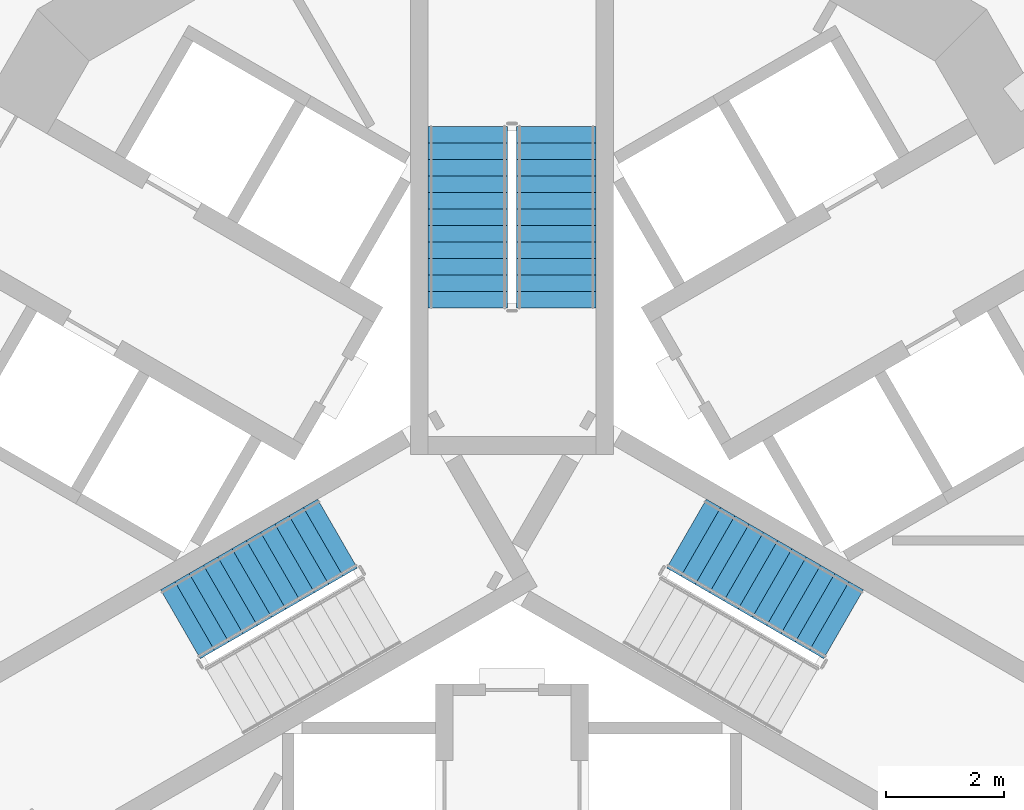
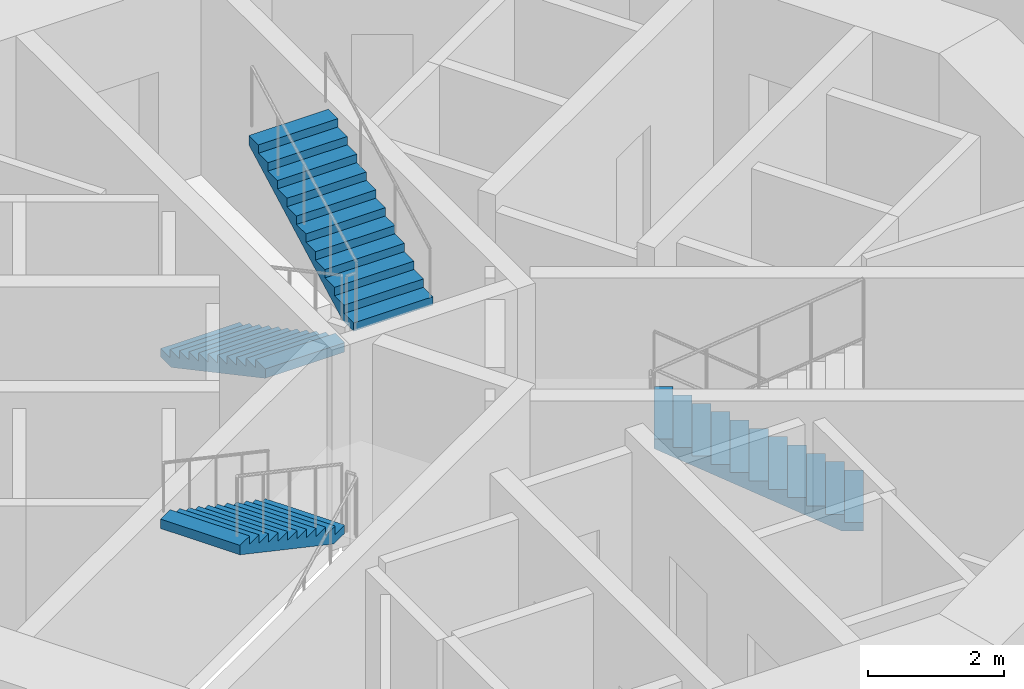
# One storey, part 11 of 19: 4 stair flights, 3 elements without a shape of their own.
"""IFC4 building model written with IfcOpenShell, lengths in metres."""

from ifc_helpers import new_model, si_unit, direction, frame, origin, place, context, subcontext, project, spatial, polyline, outline, extrude, material, type_object, element, aggregate, save


model = new_model("IFC4")

# Units and contexts
model_context = context("Model", 3, precision=1e-05, world=origin(), true_north=direction((0.0, 1.0)))
body_context = subcontext(model_context, "Body", "Model", "MODEL_VIEW")
ifc_project = project(units=[si_unit("LENGTHUNIT", "METRE"), si_unit("AREAUNIT", "SQUARE_METRE"), si_unit("VOLUMEUNIT", "CUBIC_METRE"), si_unit("PLANEANGLEUNIT", "RADIAN"), si_unit("MASSUNIT", "GRAM", prefix="KILO")], contexts=[model_context])

# Site, building, storey
site_placement = place(None, origin())
site = spatial("IfcSite", under=ifc_project, at=site_placement, CompositionType="ELEMENT")
building_placement = place(site_placement, origin())
building = spatial("IfcBuilding", under=site, at=building_placement, Name="Trine Commons Tower", CompositionType="ELEMENT")
storey_placement = place(building_placement, frame((0.0, 0.0, 68.39990234375)))
storey = spatial("IfcBuildingStorey", under=building, at=storey_placement, Name="L16", CompositionType="ELEMENT", Elevation=68.39990234375)

# Stair, stair flights
ifc_material = material(Name="Concrete C50/60", Category="concrete")
stair_type = type_object("IfcStairType", Name="Exit stair, dog-leg, 24 risers of 150 mm", PredefinedType="HALF_TURN_STAIR", material=ifc_material)
stair_1_placement = place(storey_placement, origin())
stair_1 = element("IfcStair", 1, at=stair_1_placement, inside=storey, type_object=stair_type, Name="L16 Exit stair ST1A", PredefinedType="HALF_TURN_STAIR")
stair_flight_type = type_object("IfcStairFlightType", Name="Stair flight, 1350 wide, 12 risers of 150 mm", PredefinedType="STRAIGHT", material=ifc_material)
stair_flight_1_placement = place(storey_placement, frame((79.25, 68.570556640625, 0.0), z_axis=(0.0, 0.0, 1.0), x_axis=(0.0, -1.0, 0.0)))
stair_flight_1 = element("IfcStairFlight", 2, at=stair_flight_1_placement, type_object=stair_flight_type, Name="ST1A flight 1", NumberOfRisers=12, NumberOfTreads=11, PredefinedType="STRAIGHT", RiserHeight=0.15, TreadLength=0.28, context=body_context, shape_type="SweptSolid", body=[
    extrude(outline(polyline([(0.0, 0.0), (0.0, 0.14990234375), (0.280029296875, 0.14990234375), (0.280029296875, 0.300048828125), (0.56005859375, 0.300048828125), (0.56005859375, 0.449951171875), (0.840087890625, 0.449951171875), (0.840087890625, 0.60009765625), (1.1201171875, 0.60009765625), (1.1201171875, 0.75), (1.39990234375, 0.75), (1.39990234375, 0.89990234375), (1.679931640625, 0.89990234375), (1.679931640625, 1.050048828125), (1.9599609375, 1.050048828125), (1.9599609375, 1.199951171875), (2.239990234375, 1.199951171875), (2.239990234375, 1.35009765625), (2.52001953125, 1.35009765625), (2.52001953125, 1.5), (2.800048828125, 1.5), (2.800048828125, 1.64990234375), (3.080078125, 1.64990234375), (3.080078125, 1.800048828125), (3.080078125, 1.47998046875), (0.3173828125, 0.0), (0.0, 0.0)])), frame((0.0, 0.675048828125, 0.0), z_axis=(0.0, -1.0, 0.0), x_axis=(1.0, 0.0, 0.0)), (0.0, 0.0, 1.0), 1.35009765625),
])
stair_flight_2_placement = place(storey_placement, frame((80.75, 65.490478515625, 1.800048828125), z_axis=(0.0, 0.0, 1.0), x_axis=(0.0, 1.0, 0.0)))
stair_flight_2 = element("IfcStairFlight", 3, at=stair_flight_2_placement, type_object=stair_flight_type, Name="ST1A flight 2", NumberOfRisers=12, NumberOfTreads=11, PredefinedType="STRAIGHT", RiserHeight=0.15, TreadLength=0.28, context=body_context, shape_type="SweptSolid", body=[
    extrude(outline(polyline([(0.0, 0.0), (0.0, 0.14990234375), (0.280029296875, 0.14990234375), (0.280029296875, 0.300048828125), (0.56005859375, 0.300048828125), (0.56005859375, 0.449951171875), (0.840087890625, 0.449951171875), (0.840087890625, 0.60009765625), (1.1201171875, 0.60009765625), (1.1201171875, 0.75), (1.39990234375, 0.75), (1.39990234375, 0.89990234375), (1.679931640625, 0.89990234375), (1.679931640625, 1.050048828125), (1.9599609375, 1.050048828125), (1.9599609375, 1.199951171875), (2.239990234375, 1.199951171875), (2.239990234375, 1.35009765625), (2.52001953125, 1.35009765625), (2.52001953125, 1.5), (2.800048828125, 1.5), (2.800048828125, 1.64990234375), (3.080078125, 1.64990234375), (3.080078125, 1.800048828125), (3.080078125, 1.47998046875), (0.3173828125, 0.0), (0.0, 0.0)])), frame((0.0, 0.675048828125, 0.0), z_axis=(0.0, -1.0, 0.0), x_axis=(1.0, 0.0, 0.0)), (0.0, 0.0, 1.0), 1.35009765625),
])
aggregate(stair_1, [stair_flight_1, stair_flight_2])

# Stair, stair flight
stair_2_placement = place(storey_placement, origin())
stair_2 = element("IfcStair", 4, at=stair_2_placement, inside=storey, type_object=stair_type, Name="L16 Exit stair ST2A", PredefinedType="HALF_TURN_STAIR")
stair_flight_3_placement = place(storey_placement, frame((77.03515625, 61.654296875, 1.800048828125), z_axis=(0.0, 0.0, 1.0), x_axis=(-0.866025403784, -0.5, 0.0)))
stair_flight_3 = element("IfcStairFlight", 5, at=stair_flight_3_placement, type_object=stair_flight_type, Name="ST2A flight 2", NumberOfRisers=12, NumberOfTreads=11, PredefinedType="STRAIGHT", RiserHeight=0.15, TreadLength=0.28, context=body_context, shape_type="SweptSolid", body=[
    extrude(outline(polyline([(0.0, 0.0), (0.0, 0.14990234375), (0.280029296875, 0.14990234375), (0.280029296875, 0.300048828125), (0.56005859375, 0.300048828125), (0.56005859375, 0.449951171875), (0.840087890625, 0.449951171875), (0.840087890625, 0.60009765625), (1.1201171875, 0.60009765625), (1.1201171875, 0.75), (1.39990234375, 0.75), (1.39990234375, 0.89990234375), (1.679931640625, 0.89990234375), (1.679931640625, 1.050048828125), (1.9599609375, 1.050048828125), (1.9599609375, 1.199951171875), (2.239990234375, 1.199951171875), (2.239990234375, 1.35009765625), (2.52001953125, 1.35009765625), (2.52001953125, 1.5), (2.800048828125, 1.5), (2.800048828125, 1.64990234375), (3.080078125, 1.64990234375), (3.080078125, 1.800048828125), (3.080078125, 1.47998046875), (0.3173828125, 0.0), (0.0, 0.0)])), frame((0.0, 0.675048828125, 0.0), z_axis=(0.0, -1.0, 0.0), x_axis=(1.0, 0.0, 0.0)), (0.0, 0.0, 1.0), 1.35009765625),
])
aggregate(stair_2, [stair_flight_3])

stair_3_placement = place(storey_placement, origin())
stair_3 = element("IfcStair", 6, at=stair_3_placement, inside=storey, type_object=stair_type, Name="L16 Exit stair ST3A", PredefinedType="HALF_TURN_STAIR")
stair_flight_4_placement = place(storey_placement, frame((85.63232421875, 60.1142578125, 0.0), z_axis=(0.0, 0.0, 1.0), x_axis=(-0.866025403784, 0.5, 0.0)))
stair_flight_4 = element("IfcStairFlight", 7, at=stair_flight_4_placement, type_object=stair_flight_type, Name="ST3A flight 1", NumberOfRisers=12, NumberOfTreads=11, PredefinedType="STRAIGHT", RiserHeight=0.15, TreadLength=0.28, context=body_context, shape_type="SweptSolid", body=[
    extrude(outline(polyline([(0.0, 0.0), (0.0, 0.14990234375), (0.280029296875, 0.14990234375), (0.280029296875, 0.300048828125), (0.56005859375, 0.300048828125), (0.56005859375, 0.449951171875), (0.840087890625, 0.449951171875), (0.840087890625, 0.60009765625), (1.1201171875, 0.60009765625), (1.1201171875, 0.75), (1.39990234375, 0.75), (1.39990234375, 0.89990234375), (1.679931640625, 0.89990234375), (1.679931640625, 1.050048828125), (1.9599609375, 1.050048828125), (1.9599609375, 1.199951171875), (2.239990234375, 1.199951171875), (2.239990234375, 1.35009765625), (2.52001953125, 1.35009765625), (2.52001953125, 1.5), (2.800048828125, 1.5), (2.800048828125, 1.64990234375), (3.080078125, 1.64990234375), (3.080078125, 1.800048828125), (3.080078125, 1.47998046875), (0.3173828125, 0.0), (0.0, 0.0)])), frame((0.0, 0.675048828125, 0.0), z_axis=(0.0, -1.0, 0.0), x_axis=(1.0, 0.0, 0.0)), (0.0, 0.0, 1.0), 1.35009765625),
])
aggregate(stair_3, [stair_flight_4])

save(model, "model.ifc")
